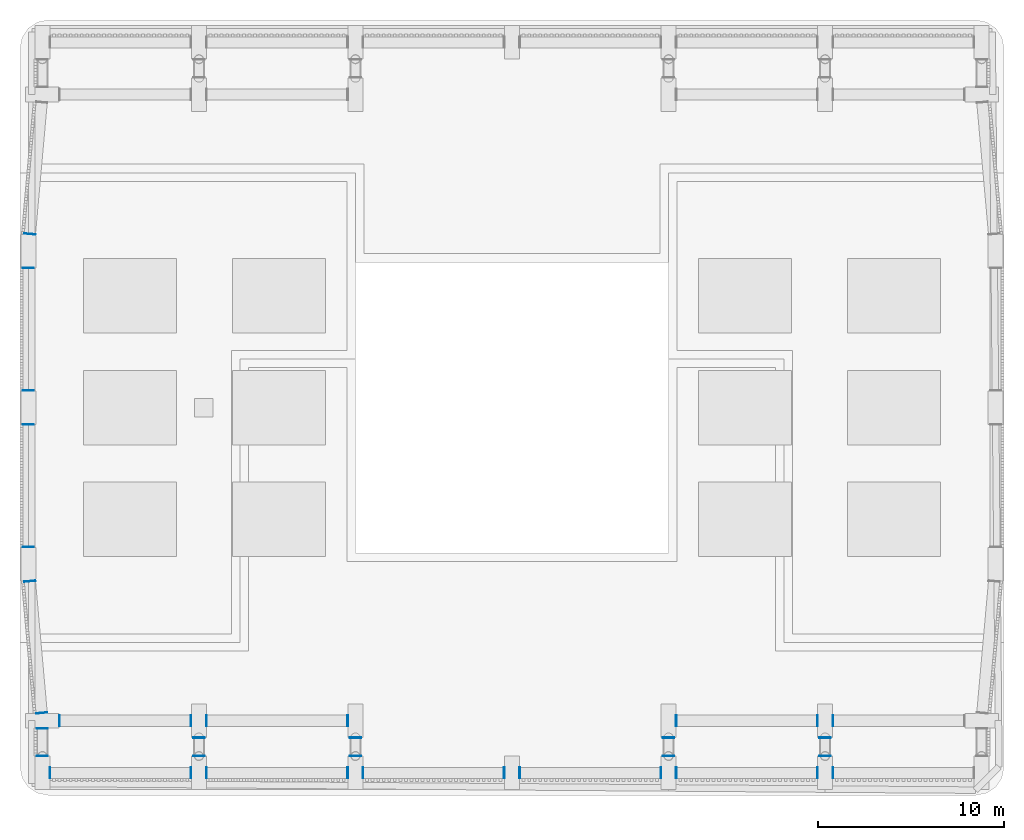
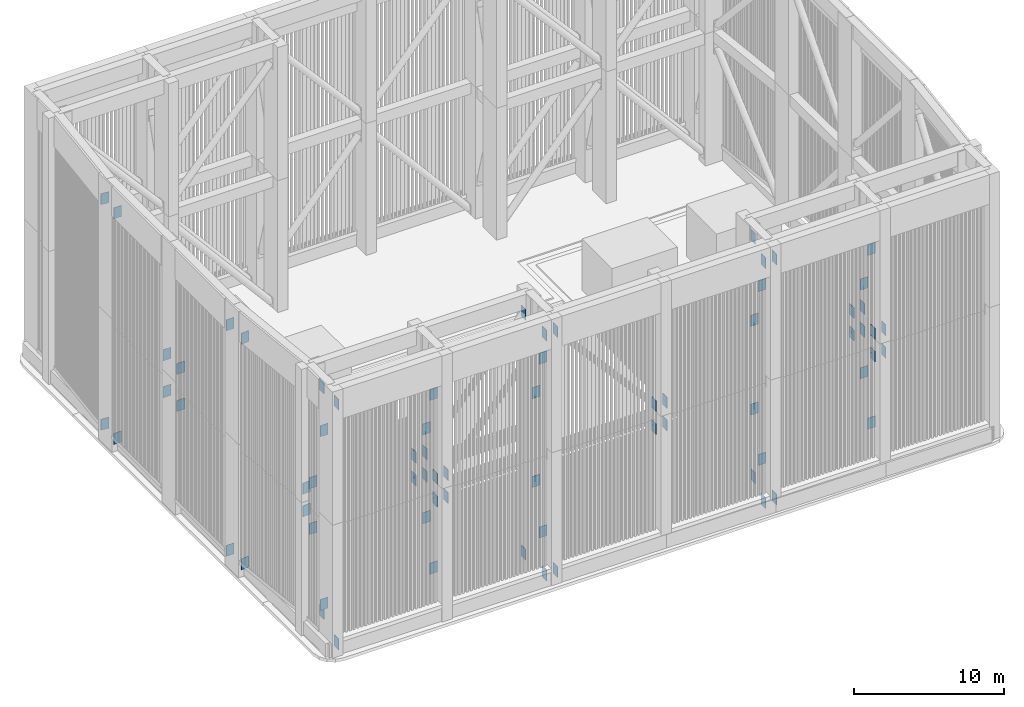
# One storey, part 5 of 27: 70 discrete accessories.
"""IFC4 building model written with IfcOpenShell, lengths in metres."""

from ifc_helpers import new_model, si_unit, direction, frame, origin, origin_2d, place, context, subcontext, project, spatial, rectangle, extrude, material, layer, layer_set, type_object, element, save


model = new_model("IFC4")

# Units and contexts
model_context = context("Model", 3, precision=1e-05, world=origin(), true_north=direction((0.0, 1.0)))
body_context = subcontext(model_context, "Body", "Model", "MODEL_VIEW")
ifc_project = project(units=[si_unit("LENGTHUNIT", "METRE"), si_unit("AREAUNIT", "SQUARE_METRE"), si_unit("VOLUMEUNIT", "CUBIC_METRE"), si_unit("PLANEANGLEUNIT", "RADIAN"), si_unit("MASSUNIT", "GRAM", prefix="KILO")], contexts=[model_context])

# Site, building, storey
site_placement = place(None, origin())
site = spatial("IfcSite", under=ifc_project, at=site_placement, CompositionType="ELEMENT")
building_placement = place(site_placement, origin())
building = spatial("IfcBuilding", under=site, at=building_placement, Name="Claustro Exchange Tower", CompositionType="ELEMENT")
storey_placement = place(building_placement, frame((0.0, 0.0, 287.10009765625)))
storey = spatial("IfcBuildingStorey", under=building, at=storey_placement, Name="ROOF", CompositionType="ELEMENT", Elevation=287.10009765625)

# Discrete accessories
ifc_material = material(Name="Steel S355", Category="steel")
ifc_layer = layer(ifc_material, 0.030029296875)
ifc_layer_set = layer_set([ifc_layer], Name="Steel S355")
discrete_accessory_type = type_object("IfcDiscreteAccessoryType", Name="CF7 30 x 600 x 900 crown frame brace end plate", PredefinedType="ANCHORPLATE", material=ifc_layer_set)
for number, where, z_axis, x_axis, name in (
    (1, (0.4150390625, 5.60009765625, 0.02734375), (0.0, 0.0, 1.0), (1.0, 0.0, 0.0), "CROWN FRAME brace end plate CF7 lower"),
    (2, (7.985107421875, 5.60009765625, 8.97265625), (0.0, 0.0, 1.0), (1.0, 0.0, 0.0), "CROWN FRAME brace end plate CF7 lower"),
    (3, (16.385009765625, 5.60009765625, 0.02734375), (0.0, 0.0, 1.0), (-1.0, 0.0, 0.0), "CROWN FRAME brace end plate CF7 lower"),
    (4, (8.81494140625, 5.60009765625, 8.97265625), (0.0, 0.0, 1.0), (-1.0, 0.0, 0.0), "CROWN FRAME brace end plate CF7 lower"),
    (5, (17.215087890625, 5.60009765625, 0.02734375), (0.0, 0.0, 1.0), (1.0, 0.0, 0.0), "CROWN FRAME brace end plate CF7 lower"),
    (6, (24.784912109375, 5.60009765625, 8.97265625), (0.0, 0.0, 1.0), (1.0, 0.0, 0.0), "CROWN FRAME brace end plate CF7 lower"),
    (7, (33.18505859375, 5.60009765625, 0.02734375), (0.0, 0.0, 1.0), (-1.0, 0.0, 0.0), "CROWN FRAME brace end plate CF7 lower"),
    (8, (25.614990234375, 5.60009765625, 8.97265625), (0.0, 0.0, 1.0), (-1.0, 0.0, 0.0), "CROWN FRAME brace end plate CF7 lower"),
    (9, (34.014892578125, 5.60009765625, 0.02734375), (0.0, 0.0, 1.0), (1.0, 0.0, 0.0), "CROWN FRAME brace end plate CF7 lower"),
    (10, (41.5849609375, 5.60009765625, 8.97265625), (0.0, 0.0, 1.0), (1.0, 0.0, 0.0), "CROWN FRAME brace end plate CF7 lower"),
    (11, (42.4150390625, 5.60009765625, 8.97265625), (0.0, 0.0, 1.0), (-1.0, 0.0, 0.0), "CROWN FRAME brace end plate CF7 lower"),
    (12, (0.0, 6.514892578125, 2.749755859375), (0.0, 0.0, 1.0), (0.0, 1.0, 0.0), "CROWN FRAME brace end plate CF7 lower"),
    (13, (0.0, 7.985107421875, 8.01806640625), (0.0, 0.0, 1.0), (0.0, 1.0, 0.0), "CROWN FRAME brace end plate CF7 lower"),
    (14, (-0.668212890625, 15.885009765625, 0.616455078125), (0.0, 0.0, 1.0), (0.088932542032, -0.996037651381, 0.0), "CROWN FRAME brace end plate CF7 lower"),
    (15, (-0.037109375, 8.81494140625, 8.97265625), (0.0, 0.0, 1.0), (0.088932542032, -0.996037651381, 0.0), "CROWN FRAME brace end plate CF7 lower"),
    (16, (-0.75, 17.715087890625, 0.616455078125), (0.0, 0.0, 1.0), (0.0, 1.0, 0.0), "CROWN FRAME brace end plate CF7 lower"),
    (17, (-0.75, 24.284912109375, 8.38330078125), (0.0, 0.0, 1.0), (0.0, 1.0, 0.0), "CROWN FRAME brace end plate CF7 lower"),
    (18, (-0.75, 32.68505859375, 0.616455078125), (0.0, 0.0, 1.0), (0.0, -1.0, 0.0), "CROWN FRAME brace end plate CF7 lower"),
    (19, (-0.75, 26.114990234375, 8.38330078125), (0.0, 0.0, 1.0), (0.0, -1.0, 0.0), "CROWN FRAME brace end plate CF7 lower"),
    (20, (-0.668212890625, 34.514892578125, 0.616455078125), (0.0, 0.0, 1.0), (0.088932542032, 0.996037651381, 0.0), "CROWN FRAME brace end plate CF7 lower"),
    (21, (0.9150390625, 8.39990234375, 0.616455078125), (0.0, 0.0, 1.0), (1.0, 0.0, 0.0), "CROWN FRAME brace end plate CF7 lower"),
    (22, (7.985107421875, 8.39990234375, 8.97265625), (0.0, 0.0, 1.0), (1.0, 0.0, 0.0), "CROWN FRAME brace end plate CF7 lower"),
    (23, (16.385009765625, 8.39990234375, 0.02734375), (0.0, 0.0, 1.0), (-1.0, 0.0, 0.0), "CROWN FRAME brace end plate CF7 lower"),
    (24, (8.81494140625, 8.39990234375, 8.97265625), (0.0, 0.0, 1.0), (-1.0, 0.0, 0.0), "CROWN FRAME brace end plate CF7 lower"),
    (25, (34.014892578125, 8.39990234375, 0.02734375), (0.0, 0.0, 1.0), (1.0, 0.0, 0.0), "CROWN FRAME brace end plate CF7 lower"),
    (26, (41.5849609375, 8.39990234375, 8.97265625), (0.0, 0.0, 1.0), (1.0, 0.0, 0.0), "CROWN FRAME brace end plate CF7 lower"),
    (27, (42.4150390625, 8.39990234375, 8.97265625), (0.0, 0.0, 1.0), (-1.0, 0.0, 0.0), "CROWN FRAME brace end plate CF7 lower"),
    (28, (8.39990234375, 6.514892578125, 2.749755859375), (0.0, 0.0, 1.0), (0.0, 1.0, 0.0), "CROWN FRAME brace end plate CF7 lower"),
    (29, (8.39990234375, 7.485107421875, 6.250244140625), (0.0, 0.0, 1.0), (0.0, 1.0, 0.0), "CROWN FRAME brace end plate CF7 lower"),
    (30, (16.800048828125, 6.514892578125, 2.749755859375), (0.0, 0.0, 1.0), (0.0, 1.0, 0.0), "CROWN FRAME brace end plate CF7 lower"),
    (31, (16.800048828125, 7.485107421875, 6.250244140625), (0.0, 0.0, 1.0), (0.0, 1.0, 0.0), "CROWN FRAME brace end plate CF7 lower"),
    (32, (33.60009765625, 6.514892578125, 2.749755859375), (0.0, 0.0, 1.0), (0.0, 1.0, 0.0), "CROWN FRAME brace end plate CF7 lower"),
    (33, (33.60009765625, 7.485107421875, 6.250244140625), (0.0, 0.0, 1.0), (0.0, 1.0, 0.0), "CROWN FRAME brace end plate CF7 lower"),
    (34, (42.0, 6.514892578125, 2.749755859375), (0.0, 0.0, 1.0), (0.0, 1.0, 0.0), "CROWN FRAME brace end plate CF7 lower"),
    (35, (42.0, 7.485107421875, 6.250244140625), (0.0, 0.0, 1.0), (0.0, 1.0, 0.0), "CROWN FRAME brace end plate CF7 lower"),
    (36, (7.985107421875, 5.60009765625, 10.812744140625), (0.0, 0.0, 1.0), (-1.0, 0.0, 0.0), "CROWN FRAME brace end plate CF7 upper"),
    (37, (0.4150390625, 5.60009765625, 19.487060546875), (0.0, 0.0, 1.0), (-1.0, 0.0, 0.0), "CROWN FRAME brace end plate CF7 upper"),
    (38, (8.81494140625, 5.60009765625, 10.812744140625), (0.0, 0.0, 1.0), (1.0, 0.0, 0.0), "CROWN FRAME brace end plate CF7 upper"),
    (39, (16.385009765625, 5.60009765625, 19.487060546875), (0.0, 0.0, 1.0), (1.0, 0.0, 0.0), "CROWN FRAME brace end plate CF7 upper"),
    (40, (24.784912109375, 5.60009765625, 10.812744140625), (0.0, 0.0, 1.0), (-1.0, 0.0, 0.0), "CROWN FRAME brace end plate CF7 upper"),
    (41, (17.215087890625, 5.60009765625, 19.487060546875), (0.0, 0.0, 1.0), (-1.0, 0.0, 0.0), "CROWN FRAME brace end plate CF7 upper"),
    (42, (25.614990234375, 5.60009765625, 10.812744140625), (0.0, 0.0, 1.0), (1.0, 0.0, 0.0), "CROWN FRAME brace end plate CF7 upper"),
    (43, (33.18505859375, 5.60009765625, 19.487060546875), (0.0, 0.0, 1.0), (1.0, 0.0, 0.0), "CROWN FRAME brace end plate CF7 upper"),
    (44, (41.5849609375, 5.60009765625, 10.812744140625), (0.0, 0.0, 1.0), (-1.0, 0.0, 0.0), "CROWN FRAME brace end plate CF7 upper"),
    (45, (34.014892578125, 5.60009765625, 19.487060546875), (0.0, 0.0, 1.0), (-1.0, 0.0, 0.0), "CROWN FRAME brace end plate CF7 upper"),
    (46, (42.4150390625, 5.60009765625, 10.812744140625), (0.0, 0.0, 1.0), (1.0, 0.0, 0.0), "CROWN FRAME brace end plate CF7 upper"),
    (47, (0.0, 7.985107421875, 11.738525390625), (0.0, 0.0, 1.0), (0.0, -1.0, 0.0), "CROWN FRAME brace end plate CF7 upper"),
    (48, (0.0, 6.514892578125, 16.84716796875), (0.0, 0.0, 1.0), (0.0, -1.0, 0.0), "CROWN FRAME brace end plate CF7 upper"),
    (49, (-0.037109375, 8.81494140625, 10.812744140625), (0.0, 0.0, 1.0), (-0.088932542032, 0.996037651381, 0.0), "CROWN FRAME brace end plate CF7 upper"),
    (50, (-0.668212890625, 15.885009765625, 18.915771484375), (0.0, 0.0, 1.0), (-0.088932542032, 0.996037651381, 0.0), "CROWN FRAME brace end plate CF7 upper"),
    (51, (-0.75, 24.284912109375, 11.38427734375), (0.0, 0.0, 1.0), (0.0, -1.0, 0.0), "CROWN FRAME brace end plate CF7 upper"),
    (52, (-0.75, 17.715087890625, 18.915771484375), (0.0, 0.0, 1.0), (0.0, -1.0, 0.0), "CROWN FRAME brace end plate CF7 upper"),
    (53, (-0.75, 26.114990234375, 11.38427734375), (0.0, 0.0, 1.0), (0.0, 1.0, 0.0), "CROWN FRAME brace end plate CF7 upper"),
    (54, (-0.75, 32.68505859375, 18.915771484375), (0.0, 0.0, 1.0), (0.0, 1.0, 0.0), "CROWN FRAME brace end plate CF7 upper"),
    (55, (-0.668212890625, 34.514892578125, 18.915771484375), (0.0, 0.0, 1.0), (-0.088932542032, -0.996037651381, 0.0), "CROWN FRAME brace end plate CF7 upper"),
    (56, (7.985107421875, 8.39990234375, 10.812744140625), (0.0, 0.0, 1.0), (-1.0, 0.0, 0.0), "CROWN FRAME brace end plate CF7 upper"),
    (57, (0.9150390625, 8.39990234375, 18.915771484375), (0.0, 0.0, 1.0), (-1.0, 0.0, 0.0), "CROWN FRAME brace end plate CF7 upper"),
    (58, (8.81494140625, 8.39990234375, 10.812744140625), (0.0, 0.0, 1.0), (1.0, 0.0, 0.0), "CROWN FRAME brace end plate CF7 upper"),
    (59, (16.385009765625, 8.39990234375, 19.487060546875), (0.0, 0.0, 1.0), (1.0, 0.0, 0.0), "CROWN FRAME brace end plate CF7 upper"),
    (60, (41.5849609375, 8.39990234375, 10.812744140625), (0.0, 0.0, 1.0), (-1.0, 0.0, 0.0), "CROWN FRAME brace end plate CF7 upper"),
    (61, (34.014892578125, 8.39990234375, 19.487060546875), (0.0, 0.0, 1.0), (-1.0, 0.0, 0.0), "CROWN FRAME brace end plate CF7 upper"),
    (62, (42.4150390625, 8.39990234375, 10.812744140625), (0.0, 0.0, 1.0), (1.0, 0.0, 0.0), "CROWN FRAME brace end plate CF7 upper"),
    (63, (8.39990234375, 7.485107421875, 13.452880859375), (0.0, 0.0, 1.0), (0.0, -1.0, 0.0), "CROWN FRAME brace end plate CF7 upper"),
    (64, (8.39990234375, 6.514892578125, 16.84716796875), (0.0, 0.0, 1.0), (0.0, -1.0, 0.0), "CROWN FRAME brace end plate CF7 upper"),
    (65, (16.800048828125, 7.485107421875, 13.452880859375), (0.0, 0.0, 1.0), (0.0, -1.0, 0.0), "CROWN FRAME brace end plate CF7 upper"),
    (66, (16.800048828125, 6.514892578125, 16.84716796875), (0.0, 0.0, 1.0), (0.0, -1.0, 0.0), "CROWN FRAME brace end plate CF7 upper"),
    (67, (33.60009765625, 7.485107421875, 13.452880859375), (0.0, 0.0, 1.0), (0.0, -1.0, 0.0), "CROWN FRAME brace end plate CF7 upper"),
    (68, (33.60009765625, 6.514892578125, 16.84716796875), (0.0, 0.0, 1.0), (0.0, -1.0, 0.0), "CROWN FRAME brace end plate CF7 upper"),
    (69, (42.0, 7.485107421875, 13.452880859375), (0.0, 0.0, 1.0), (0.0, -1.0, 0.0), "CROWN FRAME brace end plate CF7 upper"),
    (70, (42.0, 6.514892578125, 16.84716796875), (0.0, 0.0, 1.0), (0.0, -1.0, 0.0), "CROWN FRAME brace end plate CF7 upper"),
):
    element("IfcDiscreteAccessory", number, at=place(storey_placement, frame(where, z_axis=z_axis, x_axis=x_axis)), inside=storey, type_object=discrete_accessory_type, Name=name, PredefinedType="ANCHORPLATE", context=body_context, shape_type="SweptSolid", body=[
        extrude(rectangle(XDim=0.030029296875, YDim=0.60009765625, at=origin_2d()), origin(), (0.0, 0.0, 1.0), 0.89990234375),
    ])

save(model, "model.ifc")
